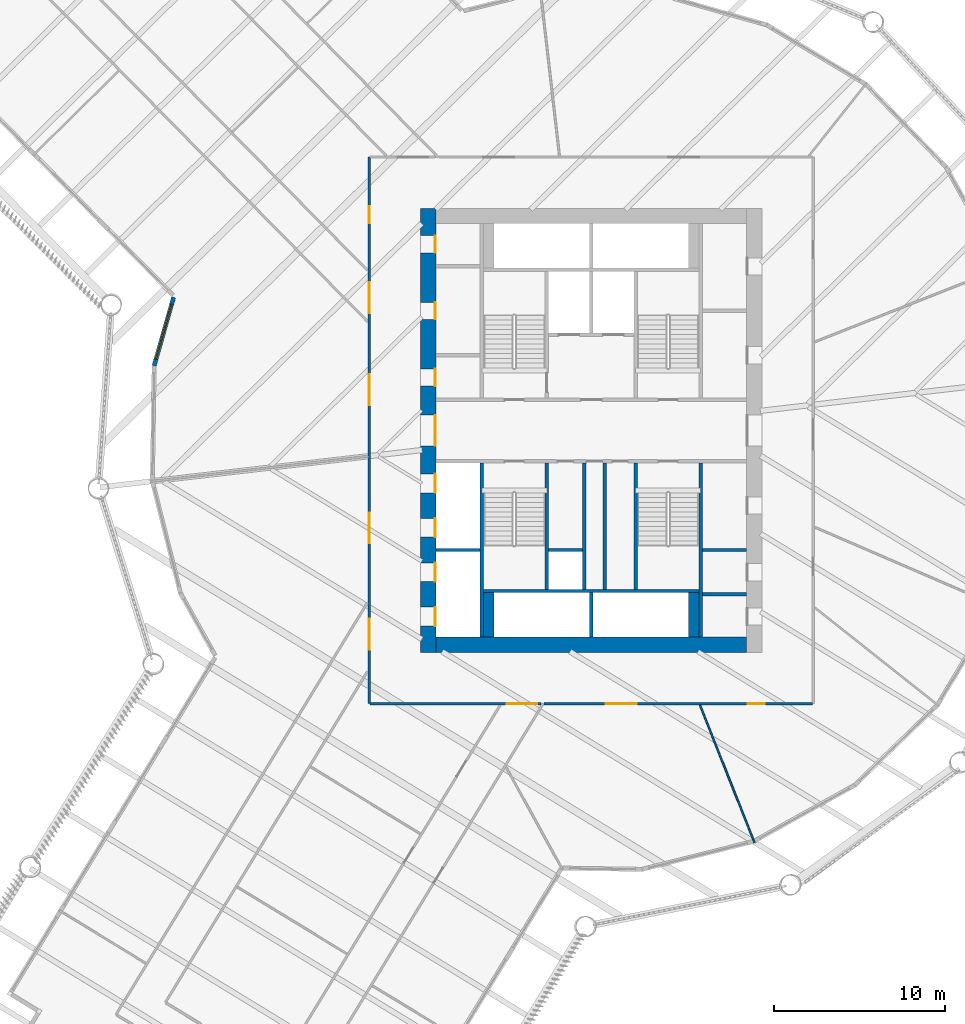
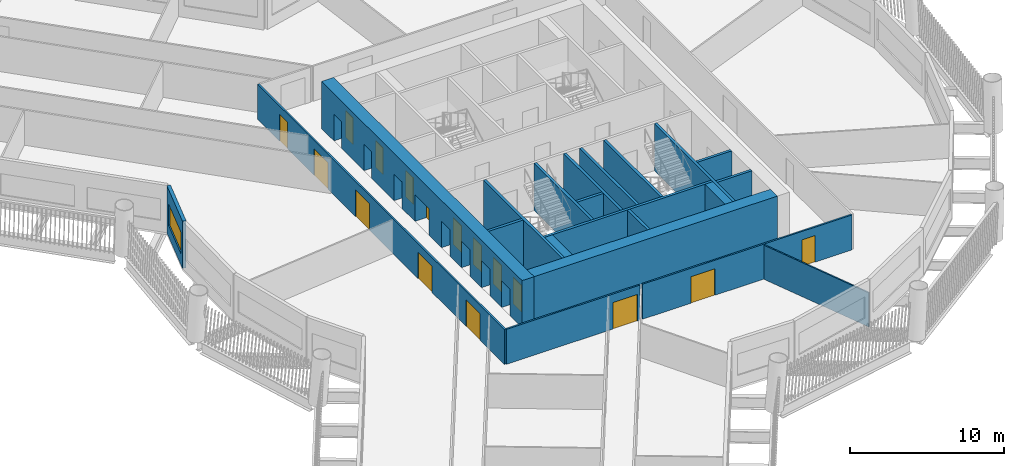
# One storey, part 4 of 15: 21 walls, 16 doors, 1 window, 17 openings.
"""IFC4 building model written with IfcOpenShell, lengths in metres."""

from ifc_helpers import new_model, si_unit, direction, frame, frame_2d, origin, place, context, subcontext, project, spatial, rectangle, extrude, material, layer, layer_set, type_object, element, fill, save


model = new_model("IFC4")

# Units and contexts
model_context = context("Model", 3, precision=1e-05, world=origin(), true_north=direction((0.0, 1.0)))
body_context = subcontext(model_context, "Body", "Model", "MODEL_VIEW")
ifc_project = project(units=[si_unit("LENGTHUNIT", "METRE"), si_unit("AREAUNIT", "SQUARE_METRE"), si_unit("VOLUMEUNIT", "CUBIC_METRE"), si_unit("PLANEANGLEUNIT", "RADIAN"), si_unit("MASSUNIT", "GRAM", prefix="KILO")], contexts=[model_context])

# Site, building, storey
site_placement = place(None, origin())
site = spatial("IfcSite", under=ifc_project, at=site_placement, CompositionType="ELEMENT")
building_placement = place(site_placement, origin())
building = spatial("IfcBuilding", under=site, at=building_placement, Name="Tarsis Ring Headquarters", CompositionType="ELEMENT")
storey_placement = place(building_placement, frame((0.0, 0.0, 75.10009765625)))
storey = spatial("IfcBuildingStorey", under=building, at=storey_placement, Name="L16", CompositionType="ELEMENT", Elevation=75.10009765625)

# Walls
ifc_material_1 = material(Name="Blockwork", Category="masonry")
ifc_layer_1 = layer(ifc_material_1, 0.199951171875)
ifc_layer_set_1 = layer_set([ifc_layer_1], Name="Core blockwork wall 200")
wall_type_1 = type_object("IfcWallType", Name="Core blockwork wall 200", PredefinedType="PARTITIONING", material=ifc_layer_set_1)
for number, where, z_axis, x_axis, name in (
    (1, (6.5, -9.60009765625, 0.0), (0.0, 0.0, 1.0), (1.0, 0.0, 0.0), "Core partition ED1"),
    (2, (6.5, -7.0, 0.0), (0.0, 0.0, 1.0), (1.0, 0.0, 0.0), "Core partition ED2"),
):
    element("IfcWall", number, at=place(storey_placement, frame(where, z_axis=z_axis, x_axis=x_axis)), inside=storey, type_object=wall_type_1, Name=name, PredefinedType="PARTITIONING", context=body_context, shape_type="SweptSolid", body=[
        extrude(rectangle(XDim=2.60009765625, YDim=0.199951171875, at=frame_2d((1.300048828125, 0.0))), origin(), (0.0, 0.0, 1.0), 3.739990234375),
    ])
wall_1_placement = place(storey_placement, frame((-2.5, -7.0, 0.0), z_axis=(0.0, 0.0, 1.0), x_axis=(1.0, 0.0, 0.0)))
element("IfcWall", 3, at=wall_1_placement, inside=storey, type_object=wall_type_1, Name="Core partition SP1", PredefinedType="PARTITIONING", context=body_context, shape_type="SweptSolid", body=[
    extrude(rectangle(XDim=2.0, YDim=0.199951171875, at=frame_2d((1.0, 0.0))), origin(), (0.0, 0.0, 1.0), 3.739990234375),
])
for number, where, z_axis, x_axis, name in (
    (4, (-0.39990234375, -9.300048828125, 0.0), (0.0, 0.0, 1.0), (0.0, 1.0, 0.0), "Core partition SV1"),
    (5, (0.800048828125, -9.300048828125, 0.0), (0.0, 0.0, 1.0), (0.0, 1.0, 0.0), "Core partition SV2"),
):
    element("IfcWall", number, at=place(storey_placement, frame(where, z_axis=z_axis, x_axis=x_axis)), inside=storey, type_object=wall_type_1, Name=name, PredefinedType="PARTITIONING", context=body_context, shape_type="SweptSolid", body=[
        extrude(rectangle(XDim=7.400146484375, YDim=0.199951171875, at=frame_2d((3.7001953125, 0.0))), origin(), (0.0, 0.0, 1.0), 3.739990234375),
    ])

# Wall, openings, doors
ifc_material_2 = material(Name="Concrete C60/75", Category="concrete")
ifc_layer_2 = layer(ifc_material_2, 0.89990234375)
ifc_layer_set_2 = layer_set([ifc_layer_2], Name="Core wall 900 C60/75")
wall_type_2 = type_object("IfcWallType", Name="Core wall 900 C60/75", PredefinedType="SHEAR", material=ifc_layer_set_2)
wall_2_placement = place(storey_placement, frame((-9.550048828125, -13.0, 0.0), z_axis=(0.0, 0.0, 1.0), x_axis=(0.0, 1.0, 0.0)))
wall_2 = element("IfcWall", 6, at=wall_2_placement, inside=storey, type_object=wall_type_2, Name="Core wall OW", PredefinedType="SHEAR", context=body_context, shape_type="SweptSolid", body=[
    extrude(rectangle(XDim=26.0, YDim=0.89990234375, at=frame_2d((13.0, 0.0))), origin(), (0.0, 0.0, 1.0), 3.739990234375),
])
opening_1_placement = place(wall_2_placement, frame((1.550048828125, 0.0, 0.0)))
opening_1 = element("IfcOpeningElement", 7, at=opening_1_placement, cuts=wall_2, Name="Opening LD-LR1", PredefinedType="OPENING", context=body_context, shape_type="SweptSolid", body=[
    extrude(rectangle(XDim=1.10009765625, YDim=2.10009765625, at=frame_2d((0.550048828125, 1.050048828125))), frame((0.0, 0.4599609375, 0.0), z_axis=(0.0, -1.0, 0.0), x_axis=(1.0, 0.0, 0.0)), (0.0, 0.0, 1.0), 0.919921875),
])
opening_2_placement = place(wall_2_placement, frame((4.14990234375, 0.0, 0.0)))
opening_2 = element("IfcOpeningElement", 8, at=opening_2_placement, cuts=wall_2, Name="Opening LD-LR2", PredefinedType="OPENING", context=body_context, shape_type="SweptSolid", body=[
    extrude(rectangle(XDim=1.10009765625, YDim=2.10009765625, at=frame_2d((0.550048828125, 1.050048828125))), frame((0.0, 0.4599609375, 0.0), z_axis=(0.0, -1.0, 0.0), x_axis=(1.0, 0.0, 0.0)), (0.0, 0.0, 1.0), 0.919921875),
])
opening_3_placement = place(wall_2_placement, frame((6.75, 0.0, 0.0)))
opening_3 = element("IfcOpeningElement", 9, at=opening_3_placement, cuts=wall_2, Name="Opening LD-LR3", PredefinedType="OPENING", context=body_context, shape_type="SweptSolid", body=[
    extrude(rectangle(XDim=1.10009765625, YDim=2.10009765625, at=frame_2d((0.550048828125, 1.050048828125))), frame((0.0, 0.4599609375, 0.0), z_axis=(0.0, -1.0, 0.0), x_axis=(1.0, 0.0, 0.0)), (0.0, 0.0, 1.0), 0.919921875),
])
opening_4_placement = place(wall_2_placement, frame((9.35009765625, 0.0, 0.0)))
opening_4 = element("IfcOpeningElement", 10, at=opening_4_placement, cuts=wall_2, Name="Opening LD-LR4", PredefinedType="OPENING", context=body_context, shape_type="SweptSolid", body=[
    extrude(rectangle(XDim=1.10009765625, YDim=2.10009765625, at=frame_2d((0.550048828125, 1.050048828125))), frame((0.0, 0.4599609375, 0.0), z_axis=(0.0, -1.0, 0.0), x_axis=(1.0, 0.0, 0.0)), (0.0, 0.0, 1.0), 0.919921875),
])
opening_5_placement = place(wall_2_placement, frame((12.10009765625, 0.0, 0.0)))
opening_5 = element("IfcOpeningElement", 11, at=opening_5_placement, cuts=wall_2, Name="Opening L16-C05", PredefinedType="OPENING", context=body_context, shape_type="SweptSolid", body=[
    extrude(rectangle(XDim=1.800048828125, YDim=2.10009765625, at=frame_2d((0.89990234375, 1.050048828125))), frame((0.0, 0.4599609375, 0.0), z_axis=(0.0, -1.0, 0.0), x_axis=(1.0, 0.0, 0.0)), (0.0, 0.0, 1.0), 0.919921875),
])
opening_6_placement = place(wall_2_placement, frame((15.60009765625, 0.0, 0.0)))
opening_6 = element("IfcOpeningElement", 12, at=opening_6_placement, cuts=wall_2, Name="Opening L16-C06", PredefinedType="OPENING", context=body_context, shape_type="SweptSolid", body=[
    extrude(rectangle(XDim=1.0, YDim=2.10009765625, at=frame_2d((0.5, 1.050048828125))), frame((0.0, 0.4599609375, 0.0), z_axis=(0.0, -1.0, 0.0), x_axis=(1.0, 0.0, 0.0)), (0.0, 0.0, 1.0), 0.919921875),
])
opening_7_placement = place(wall_2_placement, frame((19.5, 0.0, 0.0)))
opening_7 = element("IfcOpeningElement", 13, at=opening_7_placement, cuts=wall_2, Name="Opening L16-C07", PredefinedType="OPENING", context=body_context, shape_type="SweptSolid", body=[
    extrude(rectangle(XDim=1.0, YDim=2.10009765625, at=frame_2d((0.5, 1.050048828125))), frame((0.0, 0.4599609375, 0.0), z_axis=(0.0, -1.0, 0.0), x_axis=(1.0, 0.0, 0.0)), (0.0, 0.0, 1.0), 0.919921875),
])
opening_8_placement = place(wall_2_placement, frame((23.39990234375, 0.0, 0.0)))
opening_8 = element("IfcOpeningElement", 14, at=opening_8_placement, cuts=wall_2, Name="Opening L16-C08", PredefinedType="OPENING", context=body_context, shape_type="SweptSolid", body=[
    extrude(rectangle(XDim=1.0, YDim=2.10009765625, at=frame_2d((0.5, 1.050048828125))), frame((0.0, 0.4599609375, 0.0), z_axis=(0.0, -1.0, 0.0), x_axis=(1.0, 0.0, 0.0)), (0.0, 0.0, 1.0), 0.919921875),
])
ifc_material_3 = material(Name="Steel S355", Category="steel")
door_type_1 = type_object("IfcDoorType", Name="Core entry door 1800x2100", OperationType="DOUBLE_DOOR_SINGLE_SWING", PredefinedType="DOOR", material=ifc_material_3)
door_1_placement = place(opening_5_placement, origin())
door_1 = element("IfcDoor", 15, at=door_1_placement, inside=storey, type_object=door_type_1, Name="Core entry door L16", OperationType="DOUBLE_DOOR_SINGLE_SWING", OverallHeight=2.10009765625, OverallWidth=1.800048828125, PredefinedType="DOOR", context=body_context, shape_type="SweptSolid", body=[
    extrude(rectangle(XDim=1.800048828125, YDim=2.10009765625, at=frame_2d((0.89990234375, 1.050048828125))), frame((0.0, -0.39990234375, 0.0), z_axis=(0.0, -1.0, 0.0), x_axis=(1.0, 0.0, 0.0)), (0.0, 0.0, 1.0), 0.050048828125),
])
fill(opening_5, door_1)
door_type_2 = type_object("IfcDoorType", Name="Core room door 1000x2100", OperationType="SINGLE_SWING_LEFT", PredefinedType="DOOR", material=ifc_material_3)
door_2_placement = place(opening_6_placement, origin())
door_2 = element("IfcDoor", 16, at=door_2_placement, inside=storey, type_object=door_type_2, Name="Core room door L16", OperationType="SINGLE_SWING_LEFT", OverallHeight=2.10009765625, OverallWidth=1.0, PredefinedType="DOOR", context=body_context, shape_type="SweptSolid", body=[
    extrude(rectangle(XDim=1.0, YDim=2.10009765625, at=frame_2d((0.5, 1.050048828125))), frame((0.0, -0.39990234375, 0.0), z_axis=(0.0, -1.0, 0.0), x_axis=(1.0, 0.0, 0.0)), (0.0, 0.0, 1.0), 0.050048828125),
])
fill(opening_6, door_2)
door_3_placement = place(opening_7_placement, origin())
door_3 = element("IfcDoor", 17, at=door_3_placement, inside=storey, type_object=door_type_2, Name="Core room door L16", OperationType="SINGLE_SWING_LEFT", OverallHeight=2.10009765625, OverallWidth=1.0, PredefinedType="DOOR", context=body_context, shape_type="SweptSolid", body=[
    extrude(rectangle(XDim=1.0, YDim=2.10009765625, at=frame_2d((0.5, 1.050048828125))), frame((0.0, -0.39990234375, 0.0), z_axis=(0.0, -1.0, 0.0), x_axis=(1.0, 0.0, 0.0)), (0.0, 0.0, 1.0), 0.050048828125),
])
fill(opening_7, door_3)
door_4_placement = place(opening_8_placement, origin())
door_4 = element("IfcDoor", 18, at=door_4_placement, inside=storey, type_object=door_type_2, Name="Core room door L16", OperationType="SINGLE_SWING_LEFT", OverallHeight=2.10009765625, OverallWidth=1.0, PredefinedType="DOOR", context=body_context, shape_type="SweptSolid", body=[
    extrude(rectangle(XDim=1.0, YDim=2.10009765625, at=frame_2d((0.5, 1.050048828125))), frame((0.0, -0.39990234375, 0.0), z_axis=(0.0, -1.0, 0.0), x_axis=(1.0, 0.0, 0.0)), (0.0, 0.0, 1.0), 0.050048828125),
])
fill(opening_8, door_4)
door_type_3 = type_object("IfcDoorType", Name="Landing door 1100x2100", OperationType="SLIDING_TO_LEFT", PredefinedType="DOOR", material=ifc_material_3)
door_5_placement = place(opening_1_placement, origin())
door_5 = element("IfcDoor", 19, at=door_5_placement, inside=storey, type_object=door_type_3, Name="Landing door LR1 L16", OperationType="SLIDING_TO_LEFT", OverallHeight=2.10009765625, OverallWidth=1.10009765625, PredefinedType="DOOR", context=body_context, shape_type="SweptSolid", body=[
    extrude(rectangle(XDim=1.10009765625, YDim=2.10009765625, at=frame_2d((0.550048828125, 1.050048828125))), frame((0.0, -0.39990234375, 0.0), z_axis=(0.0, -1.0, 0.0), x_axis=(1.0, 0.0, 0.0)), (0.0, 0.0, 1.0), 0.050048828125),
])
fill(opening_1, door_5)
door_6_placement = place(opening_2_placement, origin())
door_6 = element("IfcDoor", 20, at=door_6_placement, inside=storey, type_object=door_type_3, Name="Landing door LR2 L16", OperationType="SLIDING_TO_LEFT", OverallHeight=2.10009765625, OverallWidth=1.10009765625, PredefinedType="DOOR", context=body_context, shape_type="SweptSolid", body=[
    extrude(rectangle(XDim=1.10009765625, YDim=2.10009765625, at=frame_2d((0.550048828125, 1.050048828125))), frame((0.0, -0.39990234375, 0.0), z_axis=(0.0, -1.0, 0.0), x_axis=(1.0, 0.0, 0.0)), (0.0, 0.0, 1.0), 0.050048828125),
])
fill(opening_2, door_6)
door_7_placement = place(opening_3_placement, origin())
door_7 = element("IfcDoor", 21, at=door_7_placement, inside=storey, type_object=door_type_3, Name="Landing door LR3 L16", OperationType="SLIDING_TO_LEFT", OverallHeight=2.10009765625, OverallWidth=1.10009765625, PredefinedType="DOOR", context=body_context, shape_type="SweptSolid", body=[
    extrude(rectangle(XDim=1.10009765625, YDim=2.10009765625, at=frame_2d((0.550048828125, 1.050048828125))), frame((0.0, -0.39990234375, 0.0), z_axis=(0.0, -1.0, 0.0), x_axis=(1.0, 0.0, 0.0)), (0.0, 0.0, 1.0), 0.050048828125),
])
fill(opening_3, door_7)
door_8_placement = place(opening_4_placement, origin())
door_8 = element("IfcDoor", 22, at=door_8_placement, inside=storey, type_object=door_type_3, Name="Landing door LR4 L16", OperationType="SLIDING_TO_LEFT", OverallHeight=2.10009765625, OverallWidth=1.10009765625, PredefinedType="DOOR", context=body_context, shape_type="SweptSolid", body=[
    extrude(rectangle(XDim=1.10009765625, YDim=2.10009765625, at=frame_2d((0.550048828125, 1.050048828125))), frame((0.0, -0.39990234375, 0.0), z_axis=(0.0, -1.0, 0.0), x_axis=(1.0, 0.0, 0.0)), (0.0, 0.0, 1.0), 0.050048828125),
])
fill(opening_4, door_8)

# Walls
wall_3_placement = place(storey_placement, frame((-9.10009765625, -12.550048828125, 0.0), z_axis=(0.0, 0.0, 1.0), x_axis=(1.0, 0.0, 0.0)))
element("IfcWall", 23, at=wall_3_placement, inside=storey, type_object=wall_type_2, Name="Core wall OS", PredefinedType="SHEAR", context=body_context, shape_type="SweptSolid", body=[
    extrude(rectangle(XDim=18.2001953125, YDim=0.89990234375, at=frame_2d((9.10009765625, 0.0))), origin(), (0.0, 0.0, 1.0), 3.739990234375),
])
ifc_material_4 = material(Name="Gypsum board on steel studs", Category="steel")
ifc_layer_3 = layer(ifc_material_4, 0.10009765625)
ifc_layer_set_3 = layer_set([ifc_layer_3], Name="FL partition 100 unrated")
wall_type_3 = type_object("IfcWallType", Name="FL partition 100 unrated", PredefinedType="PARTITIONING", material=ifc_layer_set_3)
wall_4_placement = place(storey_placement, frame((6.3642578125, -16.074462890625, 0.0), z_axis=(0.0, 0.0, 1.0), x_axis=(0.368126651839, -0.929775654771, 0.0)))
element("IfcWall", 24, at=wall_4_placement, inside=storey, type_object=wall_type_3, Name="Partition PW3", PredefinedType="PARTITIONING", context=body_context, shape_type="SweptSolid", body=[
    extrude(rectangle(XDim=8.659423828125, YDim=0.10009765625, at=frame_2d((4.32958984375, 0.0))), origin(), (0.0, 0.0, 1.0), 2.699951171875),
])

# Wall, openings, doors
ifc_layer_4 = layer(ifc_material_4, 0.125)
ifc_layer_set_4 = layer_set([ifc_layer_4], Name="FL partition 125 EI 60 H2770")
wall_type_4 = type_object("IfcWallType", Name="FL partition 125 EI 60 H2770", PredefinedType="PARTITIONING", material=ifc_layer_set_4)
wall_5_placement = place(storey_placement, frame((-13.0, -16.0, 0.0), z_axis=(0.0, 0.0, 1.0), x_axis=(0.0, 1.0, 0.0)))
wall_5 = element("IfcWall", 25, at=wall_5_placement, inside=storey, type_object=wall_type_4, Name="Partition PW1", PredefinedType="PARTITIONING", context=body_context, shape_type="SweptSolid", body=[
    extrude(rectangle(XDim=31.9990234375, YDim=0.125, at=frame_2d((15.99951171875, 0.0))), origin(), (0.0, 0.0, 1.0), 2.77001953125),
])
opening_9_placement = place(wall_5_placement, frame((9.39013671875, 0.0, 0.0)))
opening_9 = element("IfcOpeningElement", 26, at=opening_9_placement, cuts=wall_5, Name="Opening D16.14", PredefinedType="OPENING", context=body_context, shape_type="SweptSolid", body=[
    extrude(rectangle(XDim=1.800048828125, YDim=2.10009765625, at=frame_2d((0.89990234375, 1.050048828125))), frame((0.0, 0.072509765625, 0.0), z_axis=(0.0, -1.0, 0.0), x_axis=(1.0, 0.0, 0.0)), (0.0, 0.0, 1.0), 0.14501953125),
])
opening_10_placement = place(wall_5_placement, frame((17.485595703125, 0.0, 0.0)))
opening_10 = element("IfcOpeningElement", 27, at=opening_10_placement, cuts=wall_5, Name="Opening D16.15", PredefinedType="OPENING", context=body_context, shape_type="SweptSolid", body=[
    extrude(rectangle(XDim=1.800048828125, YDim=2.10009765625, at=frame_2d((0.89990234375, 1.050048828125))), frame((0.0, 0.072509765625, 0.0), z_axis=(0.0, -1.0, 0.0), x_axis=(1.0, 0.0, 0.0)), (0.0, 0.0, 1.0), 0.14501953125),
])
opening_11_placement = place(wall_5_placement, frame((28.132568359375, 0.0, 0.0)))
opening_11 = element("IfcOpeningElement", 28, at=opening_11_placement, cuts=wall_5, Name="Opening D16.16", PredefinedType="OPENING", context=body_context, shape_type="SweptSolid", body=[
    extrude(rectangle(XDim=1.0, YDim=2.10009765625, at=frame_2d((0.5, 1.050048828125))), frame((0.0, 0.072509765625, 0.0), z_axis=(0.0, -1.0, 0.0), x_axis=(1.0, 0.0, 0.0)), (0.0, 0.0, 1.0), 0.14501953125),
])
opening_12_placement = place(wall_5_placement, frame((3.1689453125, 0.0, 0.0)))
opening_12 = element("IfcOpeningElement", 29, at=opening_12_placement, cuts=wall_5, Name="Opening D16.21", PredefinedType="OPENING", context=body_context, shape_type="SweptSolid", body=[
    extrude(rectangle(XDim=1.800048828125, YDim=2.10009765625, at=frame_2d((0.89990234375, 1.050048828125))), frame((0.0, 0.072509765625, 0.0), z_axis=(0.0, -1.0, 0.0), x_axis=(1.0, 0.0, 0.0)), (0.0, 0.0, 1.0), 0.14501953125),
])
opening_13_placement = place(wall_5_placement, frame((22.870849609375, 0.0, 0.0)))
opening_13 = element("IfcOpeningElement", 30, at=opening_13_placement, cuts=wall_5, Name="Opening D16.23", PredefinedType="OPENING", context=body_context, shape_type="SweptSolid", body=[
    extrude(rectangle(XDim=1.800048828125, YDim=2.10009765625, at=frame_2d((0.89990234375, 1.050048828125))), frame((0.0, 0.072509765625, 0.0), z_axis=(0.0, -1.0, 0.0), x_axis=(1.0, 0.0, 0.0)), (0.0, 0.0, 1.0), 0.14501953125),
])
ifc_material_5 = material(Name="Fire-rated timber door leaf in steel frame", Category="steel")
door_type_4 = type_object("IfcDoorType", Name="FL door FD60-1000", OperationType="NOTDEFINED", PredefinedType="DOOR", material=ifc_material_5)
door_9_placement = place(opening_11_placement, origin())
door_9 = element("IfcDoor", 31, at=door_9_placement, inside=storey, type_object=door_type_4, Name="Door D16.16", OperationType="SINGLE_SWING_RIGHT", OverallHeight=2.10009765625, OverallWidth=1.0, PredefinedType="DOOR", context=body_context, shape_type="SweptSolid", body=[
    extrude(rectangle(XDim=1.0, YDim=2.10009765625, at=frame_2d((0.5, 1.050048828125))), frame((0.0, 0.02490234375, 0.0), z_axis=(0.0, -1.0, 0.0), x_axis=(1.0, 0.0, 0.0)), (0.0, 0.0, 1.0), 0.050048828125),
])
fill(opening_11, door_9)
door_type_5 = type_object("IfcDoorType", Name="FL door FD60-1800", OperationType="DOUBLE_DOOR_SINGLE_SWING", PredefinedType="DOOR", material=ifc_material_5)
door_10_placement = place(opening_9_placement, origin())
door_10 = element("IfcDoor", 32, at=door_10_placement, inside=storey, type_object=door_type_5, Name="Door D16.14", OperationType="DOUBLE_DOOR_SINGLE_SWING", OverallHeight=2.10009765625, OverallWidth=1.800048828125, PredefinedType="DOOR", context=body_context, shape_type="SweptSolid", body=[
    extrude(rectangle(XDim=1.800048828125, YDim=2.10009765625, at=frame_2d((0.89990234375, 1.050048828125))), frame((0.0, 0.02490234375, 0.0), z_axis=(0.0, -1.0, 0.0), x_axis=(1.0, 0.0, 0.0)), (0.0, 0.0, 1.0), 0.050048828125),
])
fill(opening_9, door_10)
door_11_placement = place(opening_10_placement, origin())
door_11 = element("IfcDoor", 33, at=door_11_placement, inside=storey, type_object=door_type_5, Name="Door D16.15", OperationType="DOUBLE_DOOR_SINGLE_SWING", OverallHeight=2.10009765625, OverallWidth=1.800048828125, PredefinedType="DOOR", context=body_context, shape_type="SweptSolid", body=[
    extrude(rectangle(XDim=1.800048828125, YDim=2.10009765625, at=frame_2d((0.89990234375, 1.050048828125))), frame((0.0, 0.02490234375, 0.0), z_axis=(0.0, -1.0, 0.0), x_axis=(1.0, 0.0, 0.0)), (0.0, 0.0, 1.0), 0.050048828125),
])
fill(opening_10, door_11)
door_12_placement = place(opening_12_placement, origin())
door_12 = element("IfcDoor", 34, at=door_12_placement, inside=storey, type_object=door_type_5, Name="Door D16.21", OperationType="DOUBLE_DOOR_SINGLE_SWING", OverallHeight=2.10009765625, OverallWidth=1.800048828125, PredefinedType="DOOR", context=body_context, shape_type="SweptSolid", body=[
    extrude(rectangle(XDim=1.800048828125, YDim=2.10009765625, at=frame_2d((0.89990234375, 1.050048828125))), frame((0.0, 0.02490234375, 0.0), z_axis=(0.0, -1.0, 0.0), x_axis=(1.0, 0.0, 0.0)), (0.0, 0.0, 1.0), 0.050048828125),
])
fill(opening_12, door_12)
door_13_placement = place(opening_13_placement, origin())
door_13 = element("IfcDoor", 35, at=door_13_placement, inside=storey, type_object=door_type_5, Name="Door D16.23", OperationType="DOUBLE_DOOR_SINGLE_SWING", OverallHeight=2.10009765625, OverallWidth=1.800048828125, PredefinedType="DOOR", context=body_context, shape_type="SweptSolid", body=[
    extrude(rectangle(XDim=1.800048828125, YDim=2.10009765625, at=frame_2d((0.89990234375, 1.050048828125))), frame((0.0, 0.02490234375, 0.0), z_axis=(0.0, -1.0, 0.0), x_axis=(1.0, 0.0, 0.0)), (0.0, 0.0, 1.0), 0.050048828125),
])
fill(opening_13, door_13)

# Wall, opening, door
wall_6_placement = place(storey_placement, frame((-12.93994140625, -16.0, 0.0), z_axis=(0.0, 0.0, 1.0), x_axis=(1.0, 0.0, 0.0)))
wall_6 = element("IfcWall", 36, at=wall_6_placement, inside=storey, type_object=wall_type_4, Name="Partition PW1", PredefinedType="PARTITIONING", context=body_context, shape_type="SweptSolid", body=[
    extrude(rectangle(XDim=10.009521484375, YDim=0.125, at=frame_2d((5.0048828125, 0.0))), origin(), (0.0, 0.0, 1.0), 2.77001953125),
])
opening_14_placement = place(wall_6_placement, frame((7.990966796875, 0.0, 0.0)))
opening_14 = element("IfcOpeningElement", 37, at=opening_14_placement, cuts=wall_6, Name="Opening D16.22", PredefinedType="OPENING", context=body_context, shape_type="SweptSolid", body=[
    extrude(rectangle(XDim=1.800048828125, YDim=2.10009765625, at=frame_2d((0.89990234375, 1.050048828125))), frame((0.0, 0.072509765625, 0.0), z_axis=(0.0, -1.0, 0.0), x_axis=(1.0, 0.0, 0.0)), (0.0, 0.0, 1.0), 0.14501953125),
])
door_14_placement = place(opening_14_placement, origin())
door_14 = element("IfcDoor", 38, at=door_14_placement, inside=storey, type_object=door_type_5, Name="Door D16.22", OperationType="DOUBLE_DOOR_SINGLE_SWING", OverallHeight=2.10009765625, OverallWidth=1.800048828125, PredefinedType="DOOR", context=body_context, shape_type="SweptSolid", body=[
    extrude(rectangle(XDim=1.800048828125, YDim=2.10009765625, at=frame_2d((0.89990234375, 1.050048828125))), frame((0.0, 0.02490234375, 0.0), z_axis=(0.0, -1.0, 0.0), x_axis=(1.0, 0.0, 0.0)), (0.0, 0.0, 1.0), 0.050048828125),
])
fill(opening_14, door_14)

# Wall, openings, doors
wall_7_placement = place(storey_placement, frame((-2.765625, -16.0, 0.0), z_axis=(0.0, 0.0, 1.0), x_axis=(1.0, 0.0, 0.0)))
wall_7 = element("IfcWall", 39, at=wall_7_placement, inside=storey, type_object=wall_type_4, Name="Partition PW1", PredefinedType="PARTITIONING", context=body_context, shape_type="SweptSolid", body=[
    extrude(rectangle(XDim=15.70556640625, YDim=0.125, at=frame_2d((7.852783203125, 0.0))), origin(), (0.0, 0.0, 1.0), 2.77001953125),
])
opening_15_placement = place(wall_7_placement, frame((11.93310546875, 0.0, 0.0)))
opening_15 = element("IfcOpeningElement", 40, at=opening_15_placement, cuts=wall_7, Name="Opening D16.09", PredefinedType="OPENING", context=body_context, shape_type="SweptSolid", body=[
    extrude(rectangle(XDim=1.0, YDim=2.10009765625, at=frame_2d((0.5, 1.050048828125))), frame((0.0, 0.072509765625, 0.0), z_axis=(0.0, -1.0, 0.0), x_axis=(1.0, 0.0, 0.0)), (0.0, 0.0, 1.0), 0.14501953125),
])
opening_16_placement = place(wall_7_placement, frame((3.62353515625, 0.0, 0.0)))
opening_16 = element("IfcOpeningElement", 41, at=opening_16_placement, cuts=wall_7, Name="Opening D16.10", PredefinedType="OPENING", context=body_context, shape_type="SweptSolid", body=[
    extrude(rectangle(XDim=1.800048828125, YDim=2.10009765625, at=frame_2d((0.89990234375, 1.050048828125))), frame((0.0, 0.072509765625, 0.0), z_axis=(0.0, -1.0, 0.0), x_axis=(1.0, 0.0, 0.0)), (0.0, 0.0, 1.0), 0.14501953125),
])
door_15_placement = place(opening_15_placement, origin())
door_15 = element("IfcDoor", 42, at=door_15_placement, inside=storey, type_object=door_type_4, Name="Door D16.09", OperationType="SINGLE_SWING_LEFT", OverallHeight=2.10009765625, OverallWidth=1.0, PredefinedType="DOOR", context=body_context, shape_type="SweptSolid", body=[
    extrude(rectangle(XDim=1.0, YDim=2.10009765625, at=frame_2d((0.5, 1.050048828125))), frame((0.0, 0.02490234375, 0.0), z_axis=(0.0, -1.0, 0.0), x_axis=(1.0, 0.0, 0.0)), (0.0, 0.0, 1.0), 0.050048828125),
])
fill(opening_15, door_15)
door_16_placement = place(opening_16_placement, origin())
door_16 = element("IfcDoor", 43, at=door_16_placement, inside=storey, type_object=door_type_5, Name="Door D16.10", OperationType="DOUBLE_DOOR_SINGLE_SWING", OverallHeight=2.10009765625, OverallWidth=1.800048828125, PredefinedType="DOOR", context=body_context, shape_type="SweptSolid", body=[
    extrude(rectangle(XDim=1.800048828125, YDim=2.10009765625, at=frame_2d((0.89990234375, 1.050048828125))), frame((0.0, 0.02490234375, 0.0), z_axis=(0.0, -1.0, 0.0), x_axis=(1.0, 0.0, 0.0)), (0.0, 0.0, 1.0), 0.050048828125),
])
fill(opening_16, door_16)

# Wall, opening, window
ifc_material_6 = material(Name="Terracotta clad insulated panel wall", Category="masonry")
ifc_layer_5 = layer(ifc_material_6, 0.25)
ifc_layer_set_5 = layer_set([ifc_layer_5], Name="Facade wall terracotta panel 250")
wall_type_5 = type_object("IfcWallType", Name="Facade wall terracotta panel 250", PredefinedType="STANDARD", material=ifc_layer_set_5)
wall_8_placement = place(storey_placement, frame((-24.452880859375, 7.7939453125, 0.0), z_axis=(0.0, 0.0, 1.0), x_axis=(-0.273953180264, -0.96174302962, 0.0)))
wall_8 = element("IfcWall", 44, at=wall_8_placement, inside=storey, type_object=wall_type_5, Name="External wall L16-02", PredefinedType="STANDARD", context=body_context, shape_type="SweptSolid", body=[
    extrude(rectangle(XDim=4.1572265625, YDim=0.25, at=frame_2d((2.07861328125, 0.0))), origin(), (0.0, 0.0, 1.0), 3.739990234375),
])
opening_17_placement = place(wall_8_placement, frame((0.420166015625, 0.0, 0.89990234375)))
opening_17 = element("IfcOpeningElement", 45, at=opening_17_placement, cuts=wall_8, Name="Opening WN01", PredefinedType="OPENING", context=body_context, shape_type="SweptSolid", body=[
    extrude(rectangle(XDim=3.35009765625, YDim=1.699951171875, at=frame_2d((1.675048828125, 0.85009765625))), frame((0.0, 0.135009765625, 0.0), z_axis=(0.0, -1.0, 0.0), x_axis=(1.0, 0.0, 0.0)), (0.0, 0.0, 1.0), 0.27001953125),
])
ifc_material_7 = material(Name="Aluminium framed double glazing", Category="aluminium")
window_type = type_object("IfcWindowType", Name="Facade window 3350 x 1700", PartitioningType="SINGLE_PANEL", PredefinedType="WINDOW", material=ifc_material_7)
window_placement = place(opening_17_placement, origin())
window = element("IfcWindow", 46, at=window_placement, inside=storey, type_object=window_type, Name="Window L16-02.1", OverallHeight=1.699951171875, OverallWidth=3.35009765625, PartitioningType="SINGLE_PANEL", PredefinedType="WINDOW", context=body_context, shape_type="SweptSolid", body=[
    extrude(rectangle(XDim=3.35009765625, YDim=1.699951171875, at=frame_2d((1.675048828125, 0.85009765625))), frame((0.0, 0.030029296875, 0.0), z_axis=(0.0, -1.0, 0.0), x_axis=(1.0, 0.0, 0.0)), (0.0, 0.0, 1.0), 0.06005859375),
])
fill(opening_17, window)

# Walls
ifc_material_8 = material(Name="Concrete C32/40", Category="concrete")
ifc_layer_6 = layer(ifc_material_8, 0.60009765625)
ifc_layer_set_6 = layer_set([ifc_layer_6], Name="Shaft end wall 600 C32/40")
wall_type_6 = type_object("IfcWallType", Name="Shaft end wall 600 C32/40", PredefinedType="SOLIDWALL", material=ifc_layer_set_6)
for number, where, z_axis, x_axis, name in (
    (47, (-6.0, -12.10009765625, 0.0), (0.0, 0.0, 1.0), (0.0, 1.0, 0.0), "Core shaft wall SNE1"),
    (48, (6.0, -12.10009765625, 0.0), (0.0, 0.0, 1.0), (0.0, 1.0, 0.0), "Core shaft wall SNE2"),
):
    element("IfcWall", number, at=place(storey_placement, frame(where, z_axis=z_axis, x_axis=x_axis)), inside=storey, type_object=wall_type_6, Name=name, PredefinedType="SOLIDWALL", context=body_context, shape_type="SweptSolid", body=[
        extrude(rectangle(XDim=2.60009765625, YDim=0.60009765625, at=frame_2d((1.300048828125, 0.0))), origin(), (0.0, 0.0, 1.0), 3.739990234375),
    ])
ifc_layer_7 = layer(ifc_material_8, 0.199951171875)
ifc_layer_set_7 = layer_set([ifc_layer_7], Name="Shaft wall 200 C32/40")
wall_type_7 = type_object("IfcWallType", Name="Shaft wall 200 C32/40", PredefinedType="SOLIDWALL", material=ifc_layer_set_7)
for number, where, z_axis, x_axis, name in (
    (49, (-6.39990234375, -12.10009765625, 0.0), (0.0, 0.0, 1.0), (0.0, 1.0, 0.0), "Core shaft wall WB1"),
    (50, (6.39990234375, -12.10009765625, 0.0), (0.0, 0.0, 1.0), (0.0, 1.0, 0.0), "Core shaft wall EB1"),
):
    element("IfcWall", number, at=place(storey_placement, frame(where, z_axis=z_axis, x_axis=x_axis)), inside=storey, type_object=wall_type_7, Name=name, PredefinedType="SOLIDWALL", context=body_context, shape_type="SweptSolid", body=[
        extrude(rectangle(XDim=10.2001953125, YDim=0.199951171875, at=frame_2d((5.10009765625, 0.0))), origin(), (0.0, 0.0, 1.0), 3.739990234375),
    ])
wall_9_placement = place(storey_placement, frame((-6.300048828125, -9.39990234375, 0.0), z_axis=(0.0, 0.0, 1.0), x_axis=(1.0, 0.0, 0.0)))
element("IfcWall", 51, at=wall_9_placement, inside=storey, type_object=wall_type_7, Name="Core shaft wall SB", PredefinedType="SOLIDWALL", context=body_context, shape_type="SweptSolid", body=[
    extrude(rectangle(XDim=12.60009765625, YDim=0.199951171875, at=frame_2d((6.300048828125, 0.0))), origin(), (0.0, 0.0, 1.0), 3.739990234375),
])
for number, where, z_axis, x_axis, name in (
    (52, (-2.60009765625, -9.300048828125, 0.0), (0.0, 0.0, 1.0), (0.0, 1.0, 0.0), "Core shaft wall SW3"),
    (53, (2.60009765625, -9.300048828125, 0.0), (0.0, 0.0, 1.0), (0.0, 1.0, 0.0), "Core shaft wall SW4"),
):
    element("IfcWall", number, at=place(storey_placement, frame(where, z_axis=z_axis, x_axis=x_axis)), inside=storey, type_object=wall_type_7, Name=name, PredefinedType="SOLIDWALL", context=body_context, shape_type="SweptSolid", body=[
        extrude(rectangle(XDim=7.400146484375, YDim=0.199951171875, at=frame_2d((3.7001953125, 0.0))), origin(), (0.0, 0.0, 1.0), 3.739990234375),
    ])
for number, where, z_axis, x_axis, name in (
    (54, (-9.10009765625, -7.0, 0.0), (0.0, 0.0, 1.0), (1.0, 0.0, 0.0), "Core shaft wall WD2"),
    (55, (0.0, -12.10009765625, 0.0), (0.0, 0.0, 1.0), (0.0, 1.0, 0.0), "Core shaft wall SD2"),
):
    element("IfcWall", number, at=place(storey_placement, frame(where, z_axis=z_axis, x_axis=x_axis)), inside=storey, type_object=wall_type_7, Name=name, PredefinedType="SOLIDWALL", context=body_context, shape_type="SweptSolid", body=[
        extrude(rectangle(XDim=2.60009765625, YDim=0.199951171875, at=frame_2d((1.300048828125, 0.0))), origin(), (0.0, 0.0, 1.0), 3.739990234375),
    ])

save(model, "model.ifc")
